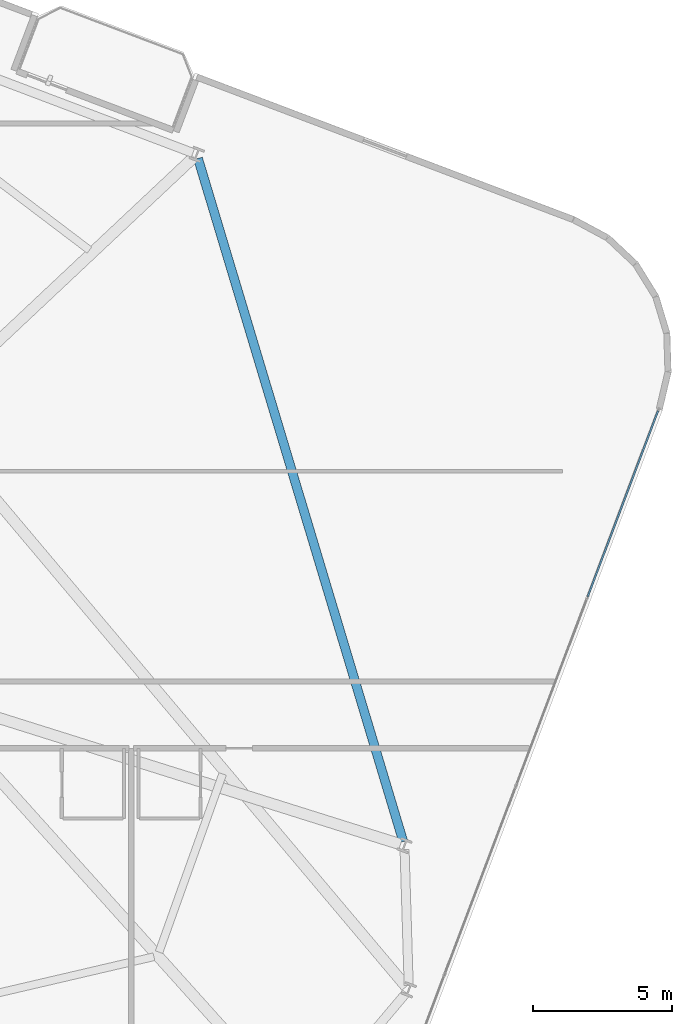
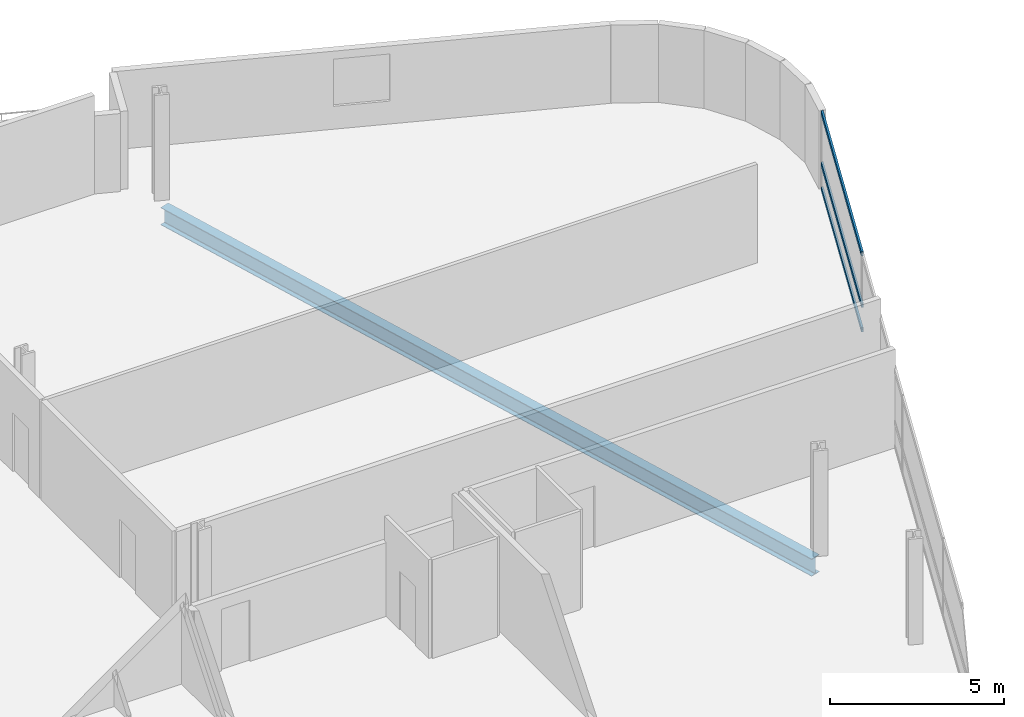
# One storey, part 15 of 25: 3 members, 1 beam, 1 element without a shape of its own.
"""IFC4 building model written with IfcOpenShell, lengths in metres."""

from ifc_helpers import new_model, si_unit, direction, frame, origin, origin_2d, place, context, subcontext, project, spatial, hollow_rectangle, i_section, extrude, material, layer, layer_set, material_profile, profile_set, type_object, element, aggregate, save


model = new_model("IFC4")

# Units and contexts
model_context = context("Model", 3, precision=1e-05, world=origin(), true_north=direction((0.0, 1.0)))
body_context = subcontext(model_context, "Body", "Model", "MODEL_VIEW")
ifc_project = project(units=[si_unit("LENGTHUNIT", "METRE"), si_unit("AREAUNIT", "SQUARE_METRE"), si_unit("VOLUMEUNIT", "CUBIC_METRE"), si_unit("PLANEANGLEUNIT", "RADIAN"), si_unit("MASSUNIT", "GRAM", prefix="KILO")], contexts=[model_context])

# Site, building, storey
site_placement = place(None, origin())
site = spatial("IfcSite", under=ifc_project, at=site_placement, CompositionType="ELEMENT")
building_placement = place(site_placement, origin())
building = spatial("IfcBuilding", under=site, at=building_placement, Name="Varnelok Gate Tower", CompositionType="ELEMENT")
storey_placement = place(building_placement, frame((0.0, 0.0, 76.199951171875)))
storey = spatial("IfcBuildingStorey", under=building, at=storey_placement, Name="L18", CompositionType="ELEMENT", Elevation=76.199951171875)

# Beam
ifc_material_1 = material(Name="Structural Steel ASTM A992 Grade 50", Category="steel")
ifc_material_profile_1 = material_profile(ifc_material_1, i_section(OverallWidth=0.323974609375, OverallDepth=0.611083984375, WebThickness=0.0126953125, FlangeThickness=0.01904296875, FilletRadius=0.01806640625, at=origin_2d()), Name="W24X104")
ifc_profile_set_1 = profile_set([ifc_material_profile_1], Name="Structural Steel ASTM A992 Grade 50")
beam_type = type_object("IfcBeamType", Name="BM-SPN-W24X104", PredefinedType="SPANDREL", material=ifc_profile_set_1)
beam_placement = place(storey_placement, frame((71.27587890625, 13.497802734375, -0.555419921875), z_axis=(-0.287745549664, 0.957706896001, 0.0), x_axis=(-0.957706896001, -0.287745549664, 0.0)))
element("IfcBeam", 1, at=beam_placement, inside=storey, type_object=beam_type, Name="L18 Perimeter Spandrel Beam 8", PredefinedType="SPANDREL", context=body_context, shape_type="SweptSolid", body=[
    extrude(i_section(OverallWidth=0.323974609375, OverallDepth=0.611083984375, WebThickness=0.0126953125, FlangeThickness=0.01904296875, FilletRadius=0.01806640625, at=origin_2d()), origin(), (0.0, 0.0, 1.0), 25.6259765625),
])

# Curtain wall, members
ifc_material_2 = material(Name="Anodized Aluminum Alloy 6063-T6", Category="aluminium")
ifc_layer = layer(ifc_material_2, 0.179931640625)
ifc_layer_set = layer_set([ifc_layer], Name="Anodized Aluminum Alloy 6063-T6")
curtain_wall_type = type_object("IfcCurtainWallType", Name="CW3-HOTEL-VISION", PredefinedType="USERDEFINED", material=ifc_layer_set)
curtain_wall_placement = place(storey_placement, origin())
curtain_wall = element("IfcCurtainWall", 2, at=curtain_wall_placement, inside=storey, type_object=curtain_wall_type, Name="L18 East End Vision Curtain Wall", ObjectType="UNITISED CURTAIN WALL", PredefinedType="USERDEFINED")
ifc_material_profile_2 = material_profile(ifc_material_2, hollow_rectangle(XDim=0.06494140625, YDim=0.159912109375, WallThickness=0.00390625, at=origin_2d()), Name="ALU160X65X4")
ifc_profile_set_2 = profile_set([ifc_material_profile_2], Name="Anodized Aluminum Alloy 6063-T6")
member_type = type_object("IfcMemberType", Name="CW-TRAN-160", PredefinedType="USERDEFINED", material=ifc_profile_set_2)
member_1_placement = place(storey_placement, frame((80.431884765625, 28.974365234375, 0.032470703125), z_axis=(-0.35404725046, -0.935227536187, 0.0), x_axis=(0.935227536187, -0.35404725046, 0.0)))
member_1 = element("IfcMember", 3, at=member_1_placement, type_object=member_type, Name="CW3 transom 1.1", ObjectType="TRANSOM", PredefinedType="USERDEFINED", context=body_context, shape_type="SweptSolid", body=[
    extrude(hollow_rectangle(XDim=0.06494140625, YDim=0.159912109375, WallThickness=0.00390625, at=origin_2d()), origin(), (0.0, 0.0, 1.0), 7.142578125),
])
member_2_placement = place(storey_placement, frame((80.431884765625, 28.974365234375, 0.900146484375), z_axis=(-0.35404725046, -0.935227536187, 0.0), x_axis=(0.935227536187, -0.35404725046, 0.0)))
member_2 = element("IfcMember", 4, at=member_2_placement, type_object=member_type, Name="CW3 transom 1.2", ObjectType="TRANSOM", PredefinedType="USERDEFINED", context=body_context, shape_type="SweptSolid", body=[
    extrude(hollow_rectangle(XDim=0.06494140625, YDim=0.159912109375, WallThickness=0.00390625, at=origin_2d()), origin(), (0.0, 0.0, 1.0), 7.142578125),
])
member_3_placement = place(storey_placement, frame((80.431884765625, 28.974365234375, 2.697509765625), z_axis=(-0.35404725046, -0.935227536187, 0.0), x_axis=(0.935227536187, -0.35404725046, 0.0)))
member_3 = element("IfcMember", 5, at=member_3_placement, type_object=member_type, Name="CW3 transom 1.3", ObjectType="TRANSOM", PredefinedType="USERDEFINED", context=body_context, shape_type="SweptSolid", body=[
    extrude(hollow_rectangle(XDim=0.06494140625, YDim=0.159912109375, WallThickness=0.00390625, at=origin_2d()), origin(), (0.0, 0.0, 1.0), 7.142578125),
])
aggregate(curtain_wall, [member_1, member_2, member_3])

save(model, "model.ifc")
